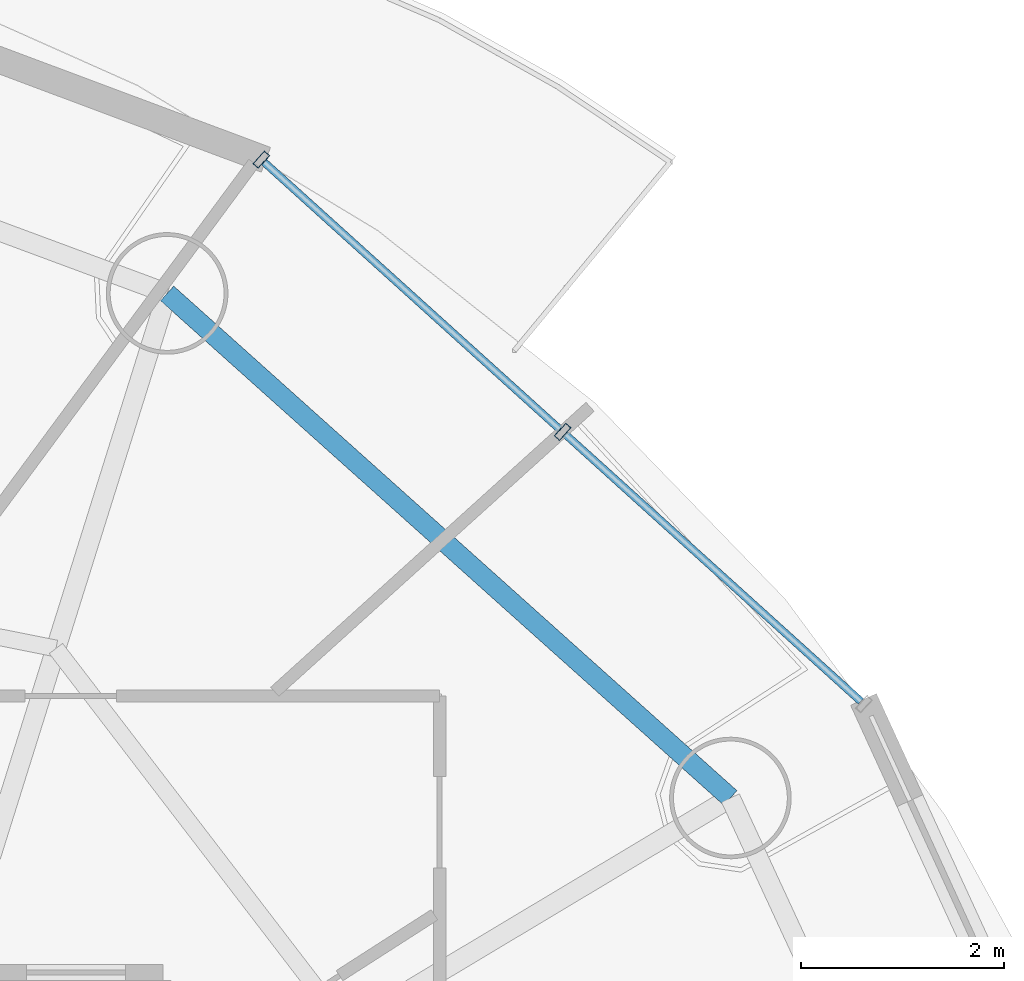
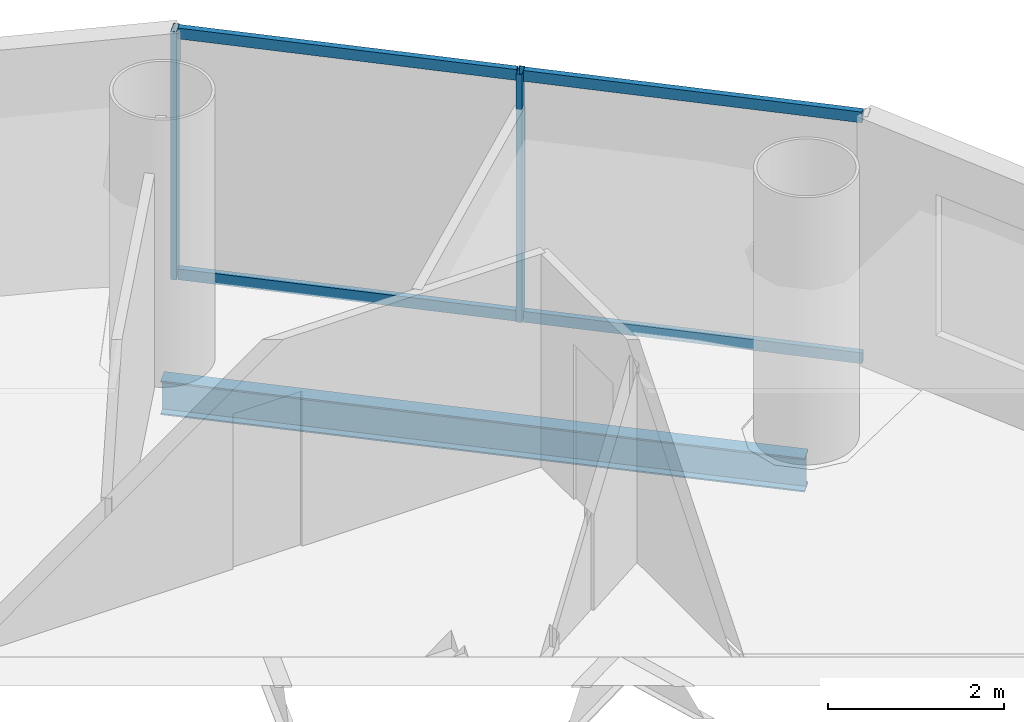
# One storey, part 18 of 27: 6 members, 1 beam, 1 element without a shape of its own.
"""IFC4 building model written with IfcOpenShell, lengths in metres."""

from ifc_helpers import new_model, si_unit, direction, frame, origin, origin_2d, place, context, subcontext, project, spatial, hollow_rectangle, i_section, extrude, source, transform, mapped, material, material_profile, profile_set, type_object, element, aggregate, save


model = new_model("IFC4")

# Units and contexts
model_context = context("Model", 3, precision=1e-05, world=origin(), true_north=direction((-0.2419218956, 0.970295726276)))
body_context = subcontext(model_context, "Body", "Model", "MODEL_VIEW")
ifc_project = project(units=[si_unit("LENGTHUNIT", "METRE"), si_unit("AREAUNIT", "SQUARE_METRE"), si_unit("VOLUMEUNIT", "CUBIC_METRE"), si_unit("PLANEANGLEUNIT", "RADIAN"), si_unit("MASSUNIT", "GRAM", prefix="KILO")], contexts=[model_context])

# Site, building, storey
site_placement = place(None, origin())
site = spatial("IfcSite", under=ifc_project, at=site_placement, CompositionType="ELEMENT")
building_placement = place(site_placement, origin())
building = spatial("IfcBuilding", under=site, at=building_placement, Name="Cobrevalo Terracotta Tower", CompositionType="ELEMENT")
storey_placement = place(building_placement, frame((0.0, 0.0, 198.60009765625)))
storey = spatial("IfcBuildingStorey", under=building, at=storey_placement, Name="L52", CompositionType="ELEMENT", Elevation=198.60009765625)

# Beam
ifc_material_1 = material(Name="Steel S355", Category="steel")
ifc_material_profile_1 = material_profile(ifc_material_1, i_section(OverallWidth=0.194091796875, OverallDepth=0.468994140625, WebThickness=0.011474609375, FlangeThickness=0.0205078125, at=origin_2d()), Name="W 460x106")
ifc_profile_set_1 = profile_set([ifc_material_profile_1], Name="Steel S355")
beam_type = type_object("IfcBeamType", Name="Structural Spandrel W 460x106 (Steel S355)", PredefinedType="SPANDREL", material=ifc_profile_set_1)
beam_placement = place(storey_placement, frame((54.754150390625, 36.828125, -0.49951171875), z_axis=(-0.744851930997, 0.667229796165, 0.0), x_axis=(-0.667229796165, -0.744851930997, 0.0)))
element("IfcBeam", 1, at=beam_placement, inside=storey, type_object=beam_type, Name="L52 perimeter ring spandrel 02", PredefinedType="SPANDREL", context=body_context, shape_type="SweptSolid", body=[
    extrude(i_section(OverallWidth=0.194091796875, OverallDepth=0.468994140625, WebThickness=0.011474609375, FlangeThickness=0.0205078125, at=origin_2d()), origin(), (0.0, 0.0, 1.0), 7.463623046875),
])

# Curtain wall, members
ifc_material_2 = material(Name="Anodized aluminium", Category="aluminium")
curtain_wall_type = type_object("IfcCurtainWallType", Name="Mid-tower high-wind unitised curtain wall CW-U2", PredefinedType="NOTDEFINED", material=ifc_material_2)
curtain_wall_placement = place(storey_placement, origin())
curtain_wall = element("IfcCurtainWall", 2, at=curtain_wall_placement, inside=storey, type_object=curtain_wall_type, Name="L52 curtain wall CW-L52-S02", PredefinedType="NOTDEFINED")
ifc_material_profile_2 = material_profile(ifc_material_2, hollow_rectangle(XDim=0.074951171875, YDim=0.14990234375, WallThickness=0.00439453125, at=origin_2d()), Name="CWT 75x150")
ifc_profile_set_2 = profile_set([ifc_material_profile_2], Name="Anodized aluminium")
member_type_1 = type_object("IfcMemberType", Name="Tower unitised aluminium transom 75x150", PredefinedType="USERDEFINED", material=ifc_profile_set_2)
shared_shape_1 = source(origin(), body_context, "Body", "SweptSolid", [
    extrude(hollow_rectangle(XDim=0.074951171875, YDim=0.14990234375, WallThickness=0.00439453125, at=origin_2d()), origin(), (0.0, 0.0, 1.0), 3.927490234375),
])
member_1_placement = place(storey_placement, frame((56.041748046875, 37.78173828125, 0.0498046875), z_axis=(-0.741975952623, 0.670426495396, 0.0), x_axis=(-0.670426495396, -0.741975952623, 0.0)))
member_1 = element("IfcMember", 3, at=member_1_placement, type_object=member_type_1, Name="CW-L52-S02 transom B01-T1", ObjectType="TRANSOM", PredefinedType="USERDEFINED", context=body_context, shape_type="MappedRepresentation", body=[
    mapped(shared_shape_1, transform((0.0, 0.0, 0.0), scale=1.0)),
])
member_2_placement = place(storey_placement, frame((56.041748046875, 37.78173828125, 3.385009765625), z_axis=(-0.741975952623, 0.670426495396, 0.0), x_axis=(-0.670426495396, -0.741975952623, 0.0)))
member_2 = element("IfcMember", 4, at=member_2_placement, type_object=member_type_1, Name="CW-L52-S02 transom B01-T2", ObjectType="TRANSOM", PredefinedType="USERDEFINED", context=body_context, shape_type="MappedRepresentation", body=[
    mapped(shared_shape_1, transform((0.0, 0.0, 0.0), scale=1.0)),
])
shared_shape_2 = source(origin(), body_context, "Body", "SweptSolid", [
    extrude(hollow_rectangle(XDim=0.074951171875, YDim=0.14990234375, WallThickness=0.00439453125, at=origin_2d()), origin(), (0.0, 0.0, 1.0), 3.927734375),
])
member_3_placement = place(storey_placement, frame((53.068359375, 40.46826171875, 0.0498046875), z_axis=(-0.742003891138, 0.670395573923, 0.0), x_axis=(-0.670395573923, -0.742003891138, 0.0)))
member_3 = element("IfcMember", 5, at=member_3_placement, type_object=member_type_1, Name="CW-L52-S02 transom B02-T1", ObjectType="TRANSOM", PredefinedType="USERDEFINED", context=body_context, shape_type="MappedRepresentation", body=[
    mapped(shared_shape_2, transform((0.0, 0.0, 0.0), scale=1.0)),
])
member_4_placement = place(storey_placement, frame((53.068359375, 40.46826171875, 3.385009765625), z_axis=(-0.742003891138, 0.670395573923, 0.0), x_axis=(-0.670395573923, -0.742003891138, 0.0)))
member_4 = element("IfcMember", 6, at=member_4_placement, type_object=member_type_1, Name="CW-L52-S02 transom B02-T2", ObjectType="TRANSOM", PredefinedType="USERDEFINED", context=body_context, shape_type="MappedRepresentation", body=[
    mapped(shared_shape_2, transform((0.0, 0.0, 0.0), scale=1.0)),
])
ifc_material_profile_3 = material_profile(ifc_material_2, hollow_rectangle(XDim=0.070068359375, YDim=0.169921875, WallThickness=0.00439453125, at=origin_2d()), Name="CWM 70x170")
ifc_profile_set_3 = profile_set([ifc_material_profile_3], Name="Anodized aluminium")
member_type_2 = type_object("IfcMemberType", Name="Upper tower unitised mullion 70x170", PredefinedType="MULLION", material=ifc_profile_set_3)
shared_shape_3 = source(origin(), body_context, "Body", "SweptSolid", [
    extrude(hollow_rectangle(XDim=0.070068359375, YDim=0.169921875, WallThickness=0.00439453125, at=origin_2d()), origin(), (0.0, 0.0, 1.0), 3.434814453125),
])
member_5_placement = place(storey_placement, frame((53.097900390625, 40.441650390625, 0.0), z_axis=(0.0, 0.0, 1.0), x_axis=(-0.741987542015, 0.670413668935, 0.0)))
member_5 = element("IfcMember", 7, at=member_5_placement, type_object=member_type_2, Name="CW-L52-S02 vertical mullion 02", PredefinedType="MULLION", context=body_context, shape_type="MappedRepresentation", body=[
    mapped(shared_shape_3, transform((0.0, 0.0, 0.0), scale=1.0)),
])
member_6_placement = place(storey_placement, frame((50.12451171875, 43.128173828125, 0.0), z_axis=(0.0, 0.0, 1.0), x_axis=(-0.741987542015, 0.670413668935, 0.0)))
member_6 = element("IfcMember", 8, at=member_6_placement, type_object=member_type_2, Name="CW-L52-S02 vertical mullion 03", PredefinedType="MULLION", context=body_context, shape_type="MappedRepresentation", body=[
    mapped(shared_shape_3, transform((0.0, 0.0, 0.0), scale=1.0)),
])
aggregate(curtain_wall, [member_5, member_6, member_1, member_2, member_3, member_4])

save(model, "model.ifc")
